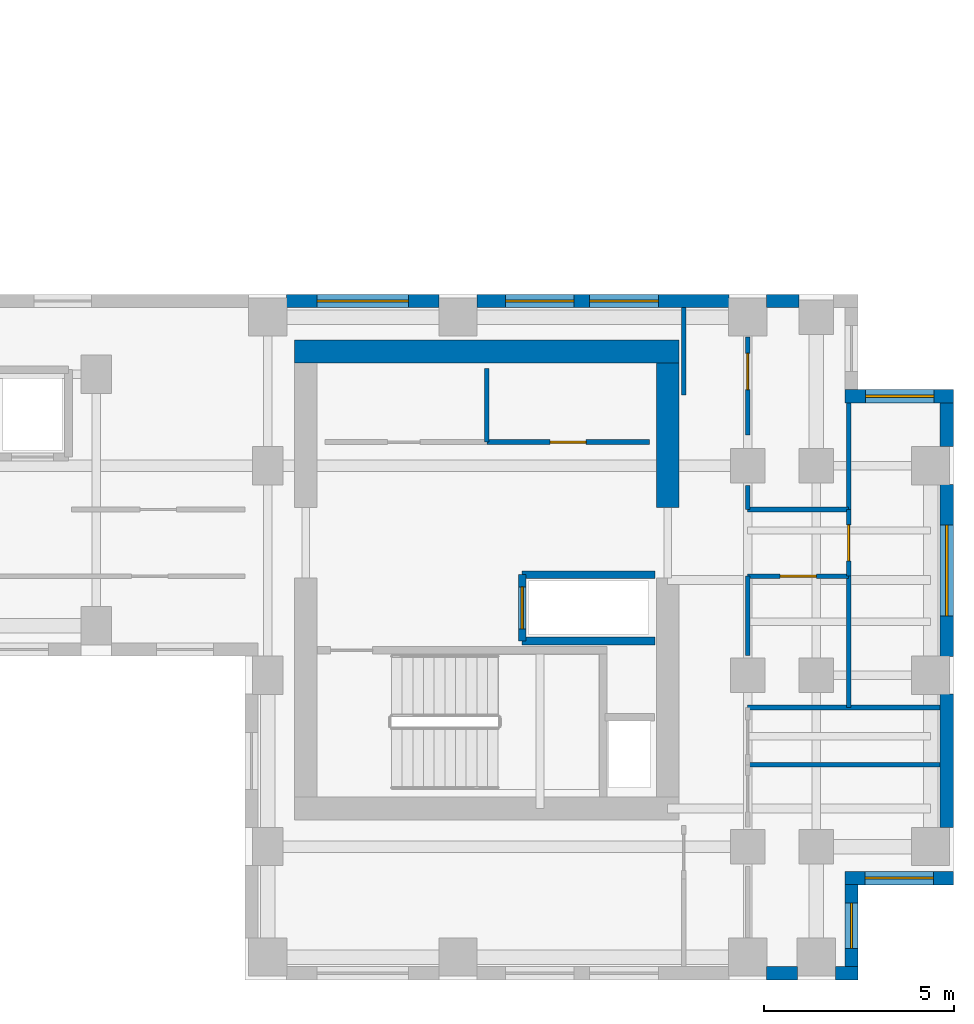
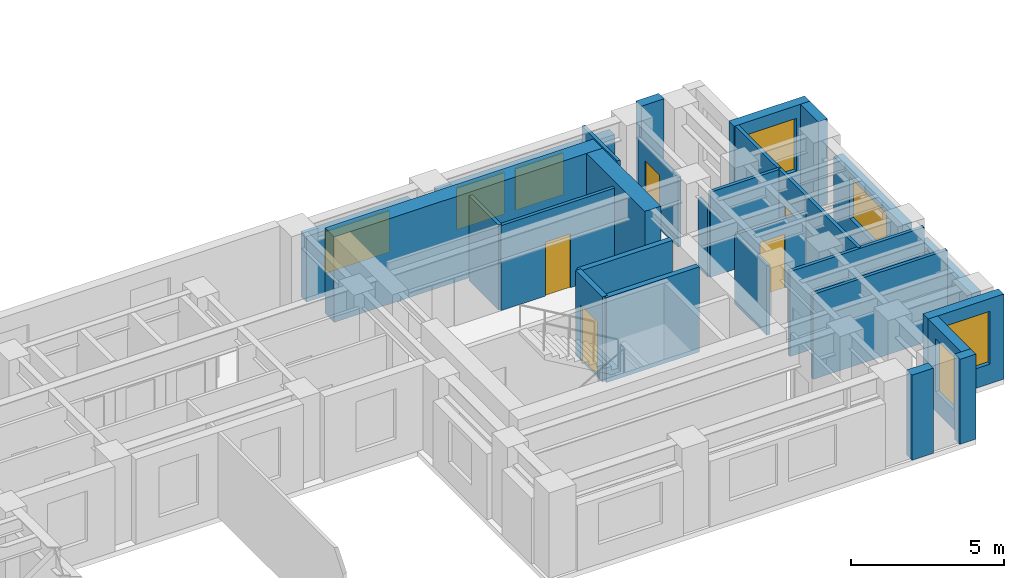
# One storey, part 7 of 11: 29 walls, 7 windows, 5 doors, 12 openings.
"""IFC4 building model written with IfcOpenShell, lengths in metres."""

from ifc_helpers import new_model, si_unit, direction, frame, frame_2d, origin, place, context, subcontext, project, spatial, rectangle, extrude, source, transform, mapped, material, layer, layer_set, type_object, element, fill, save


model = new_model("IFC4")

# Units and contexts
model_context = context("Model", 3, precision=1e-05, world=origin(), true_north=direction((0.0, 1.0)))
body_context = subcontext(model_context, "Body", "Model", "MODEL_VIEW")
ifc_project = project(units=[si_unit("LENGTHUNIT", "METRE"), si_unit("AREAUNIT", "SQUARE_METRE"), si_unit("VOLUMEUNIT", "CUBIC_METRE"), si_unit("PLANEANGLEUNIT", "RADIAN"), si_unit("MASSUNIT", "GRAM", prefix="KILO")], contexts=[model_context])

# Site, building, storey
site_placement = place(None, origin())
site = spatial("IfcSite", under=ifc_project, at=site_placement, CompositionType="ELEMENT")
building_placement = place(site_placement, origin())
building = spatial("IfcBuilding", under=site, at=building_placement, Name="Kharzan Plaza Tower", CompositionType="ELEMENT")
storey_placement = place(building_placement, frame((0.0, 0.0, 171.89990234375)))
storey = spatial("IfcBuildingStorey", under=building, at=storey_placement, Name="L46", CompositionType="ELEMENT", Elevation=171.89990234375)

# Wall, opening, window
ifc_material_1 = material(Name="Concrete C40/50", Category="concrete")
ifc_layer_1 = layer(ifc_material_1, 0.35009765625)
ifc_layer_set_1 = layer_set([ifc_layer_1], Name="Concrete C40/50")
wall_type_1 = type_object("IfcWallType", Name="WL-EXT-MAS-Z3", PredefinedType="SOLIDWALL", material=ifc_layer_set_1)
wall_1_placement = place(storey_placement, frame((50.324951171875, 0.347900390625, 0.0), z_axis=(0.0, 0.0, 1.0), x_axis=(0.0, 1.0, 0.0)))
wall_1 = element("IfcWall", 1, at=wall_1_placement, inside=storey, type_object=wall_type_1, Name="L46 Masonry-Frame Exterior Wall 35", PredefinedType="SOLIDWALL", context=body_context, shape_type="SweptSolid", body=[
    extrude(rectangle(XDim=2.154052734375, YDim=0.35009765625, at=frame_2d((1.0771484375, 0.0))), origin(), (0.0, 0.0, 1.0), 3.385009765625),
])
opening_1_placement = place(wall_1_placement, frame((0.47705078125, 0.0, 0.780029296875)))
opening_1 = element("IfcOpeningElement", 2, at=opening_1_placement, cuts=wall_1, Name="Opening W3", PredefinedType="OPENING", context=body_context, shape_type="SweptSolid", body=[
    extrude(rectangle(XDim=1.199951171875, YDim=2.10009765625, at=frame_2d((0.60009765625, 1.050048828125))), frame((0.0, 0.18505859375, 0.0), z_axis=(0.0, -1.0, 0.0), x_axis=(1.0, 0.0, 0.0)), (0.0, 0.0, 1.0), 0.3701171875),
])
ifc_material_2 = material(Name="Low-E Double Glazing", Category="glass")
window_type_1 = type_object("IfcWindowType", Name="WN-REC-1200x2100", PartitioningType="SINGLE_PANEL", PredefinedType="WINDOW", material=ifc_material_2)
shared_shape_1 = source(origin(), body_context, "Body", "SweptSolid", [
    extrude(rectangle(XDim=1.199951171875, YDim=2.10009765625, at=frame_2d((0.60009765625, 1.050048828125))), frame((0.0, 0.030029296875, 0.0), z_axis=(0.0, -1.0, 0.0), x_axis=(1.0, 0.0, 0.0)), (0.0, 0.0, 1.0), 0.06005859375),
])
window_1_placement = place(opening_1_placement, origin())
window_1 = element("IfcWindow", 3, at=window_1_placement, inside=storey, type_object=window_type_1, Name="L46 Recessed Solar-Control Window 35-1", OverallHeight=2.10009765625, OverallWidth=1.199951171875, PartitioningType="SINGLE_PANEL", PredefinedType="WINDOW", context=body_context, shape_type="MappedRepresentation", body=[
    mapped(shared_shape_1, transform((0.0, 0.0, 0.0), x_axis=(1.0, 0.0, 0.0), y_axis=(0.0, 1.0, 0.0), z_axis=(0.0, 0.0, 1.0))),
])
fill(opening_1, window_1)

wall_2_placement = place(storey_placement, frame((50.14990234375, 2.675048828125, 0.0), z_axis=(0.0, 0.0, 1.0), x_axis=(1.0, 0.0, 0.0)))
wall_2 = element("IfcWall", 4, at=wall_2_placement, inside=storey, type_object=wall_type_1, Name="L46 Masonry-Frame Exterior Wall 36", PredefinedType="SOLIDWALL", context=body_context, shape_type="SweptSolid", body=[
    extrude(rectangle(XDim=2.85009765625, YDim=0.35009765625, at=frame_2d((1.425048828125, 0.0))), origin(), (0.0, 0.0, 1.0), 3.385009765625),
])
opening_2_placement = place(wall_2_placement, frame((0.52490234375, 0.0, 0.780029296875)))
opening_2 = element("IfcOpeningElement", 5, at=opening_2_placement, cuts=wall_2, Name="Opening W1", PredefinedType="OPENING", context=body_context, shape_type="SweptSolid", body=[
    extrude(rectangle(XDim=1.800048828125, YDim=2.10009765625, at=frame_2d((0.89990234375, 1.050048828125))), frame((0.0, 0.18505859375, 0.0), z_axis=(0.0, -1.0, 0.0), x_axis=(1.0, 0.0, 0.0)), (0.0, 0.0, 1.0), 0.3701171875),
])
window_type_2 = type_object("IfcWindowType", Name="WN-REC-1800x2100", PartitioningType="SINGLE_PANEL", PredefinedType="WINDOW", material=ifc_material_2)
shared_shape_2 = source(origin(), body_context, "Body", "SweptSolid", [
    extrude(rectangle(XDim=1.800048828125, YDim=2.10009765625, at=frame_2d((0.89990234375, 1.050048828125))), frame((0.0, 0.030029296875, 0.0), z_axis=(0.0, -1.0, 0.0), x_axis=(1.0, 0.0, 0.0)), (0.0, 0.0, 1.0), 0.06005859375),
])
window_2_placement = place(opening_2_placement, origin())
window_2 = element("IfcWindow", 6, at=window_2_placement, inside=storey, type_object=window_type_2, Name="L46 Recessed Solar-Control Window 36-1", OverallHeight=2.10009765625, OverallWidth=1.800048828125, PartitioningType="SINGLE_PANEL", PredefinedType="WINDOW", context=body_context, shape_type="MappedRepresentation", body=[
    mapped(shared_shape_2, transform((0.0, 0.0, 0.0), x_axis=(1.0, 0.0, 0.0), y_axis=(0.0, 1.0, 0.0), z_axis=(0.0, 0.0, 1.0))),
])
fill(opening_2, window_2)

wall_3_placement = place(storey_placement, frame((52.824951171875, 8.498046875, 0.0), z_axis=(0.0, 0.0, 1.0), x_axis=(0.0, 1.0, 0.0)))
wall_3 = element("IfcWall", 7, at=wall_3_placement, inside=storey, type_object=wall_type_1, Name="L46 Masonry-Frame Exterior Wall 38", PredefinedType="SOLIDWALL", context=body_context, shape_type="SweptSolid", body=[
    extrude(rectangle(XDim=4.50390625, YDim=0.35009765625, at=frame_2d((2.251953125, 0.0))), origin(), (0.0, 0.0, 1.0), 2.612060546875),
])
opening_3_placement = place(wall_3_placement, frame((1.052001953125, 0.0, 0.780029296875)))
opening_3 = element("IfcOpeningElement", 8, at=opening_3_placement, cuts=wall_3, Name="Opening W2", PredefinedType="OPENING", context=body_context, shape_type="SweptSolid", body=[
    extrude(rectangle(XDim=2.39990234375, YDim=1.652099609375, at=frame_2d((1.199951171875, 0.826171875))), frame((0.0, 0.18505859375, 0.0), z_axis=(0.0, -1.0, 0.0), x_axis=(1.0, 0.0, 0.0)), (0.0, 0.0, 1.0), 0.3701171875),
])
window_type_3 = type_object("IfcWindowType", Name="WN-REC-2400x2100", PartitioningType="SINGLE_PANEL", PredefinedType="WINDOW", material=ifc_material_2)
shared_shape_3 = source(origin(), body_context, "Body", "SweptSolid", [
    extrude(rectangle(XDim=2.39990234375, YDim=1.652099609375, at=frame_2d((1.199951171875, 0.826171875))), frame((0.0, 0.030029296875, 0.0), z_axis=(0.0, -1.0, 0.0), x_axis=(1.0, 0.0, 0.0)), (0.0, 0.0, 1.0), 0.06005859375),
])
window_3_placement = place(opening_3_placement, origin())
window_3 = element("IfcWindow", 9, at=window_3_placement, inside=storey, type_object=window_type_3, Name="L46 Wide Recessed Solar-Control Window 38-1", OverallHeight=1.652099609375, OverallWidth=2.39990234375, PartitioningType="SINGLE_PANEL", PredefinedType="WINDOW", context=body_context, shape_type="MappedRepresentation", body=[
    mapped(shared_shape_3, transform((0.0, 0.0, 0.0), x_axis=(1.0, 0.0, 0.0), y_axis=(0.0, 1.0, 0.0), z_axis=(0.0, 0.0, 1.0))),
])
fill(opening_3, window_3)

wall_4_placement = place(storey_placement, frame((53.0, 15.324951171875, 0.0), z_axis=(0.0, 0.0, 1.0), x_axis=(-1.0, 0.0, 0.0)))
wall_4 = element("IfcWall", 10, at=wall_4_placement, inside=storey, type_object=wall_type_1, Name="L46 Masonry-Frame Exterior Wall 40", PredefinedType="SOLIDWALL", context=body_context, shape_type="SweptSolid", body=[
    extrude(rectangle(XDim=2.85009765625, YDim=0.35009765625, at=frame_2d((1.425048828125, 0.0))), origin(), (0.0, 0.0, 1.0), 3.385009765625),
])
opening_4_placement = place(wall_4_placement, frame((0.510009765625, 0.0, 0.780029296875)))
opening_4 = element("IfcOpeningElement", 11, at=opening_4_placement, cuts=wall_4, Name="Opening W1", PredefinedType="OPENING", context=body_context, shape_type="SweptSolid", body=[
    extrude(rectangle(XDim=1.800048828125, YDim=2.10009765625, at=frame_2d((0.89990234375, 1.050048828125))), frame((0.0, 0.18505859375, 0.0), z_axis=(0.0, -1.0, 0.0), x_axis=(1.0, 0.0, 0.0)), (0.0, 0.0, 1.0), 0.3701171875),
])
window_4_placement = place(opening_4_placement, origin())
window_4 = element("IfcWindow", 12, at=window_4_placement, inside=storey, type_object=window_type_2, Name="L46 Recessed Solar-Control Window 40-1", OverallHeight=2.10009765625, OverallWidth=1.800048828125, PartitioningType="SINGLE_PANEL", PredefinedType="WINDOW", context=body_context, shape_type="MappedRepresentation", body=[
    mapped(shared_shape_2, transform((0.0, 0.0, 0.0), x_axis=(1.0, 0.0, 0.0), y_axis=(0.0, 1.0, 0.0), z_axis=(0.0, 0.0, 1.0))),
])
fill(opening_4, window_4)

# Wall, openings, windows
wall_5_placement = place(storey_placement, frame((47.10205078125, 17.824951171875, 0.0), z_axis=(0.0, 0.0, 1.0), x_axis=(-1.0, 0.0, 0.0)))
wall_5 = element("IfcWall", 13, at=wall_5_placement, inside=storey, type_object=wall_type_1, Name="L46 Masonry-Frame Exterior Wall 44", PredefinedType="SOLIDWALL", context=body_context, shape_type="SweptSolid", body=[
    extrude(rectangle(XDim=6.60400390625, YDim=0.35009765625, at=frame_2d((3.302001953125, 0.0))), origin(), (0.0, 0.0, 1.0), 2.612060546875),
])
opening_5_placement = place(wall_5_placement, frame((1.849365234375, 0.0, 0.780029296875)))
opening_5 = element("IfcOpeningElement", 14, at=opening_5_placement, cuts=wall_5, Name="Opening W1", PredefinedType="OPENING", context=body_context, shape_type="SweptSolid", body=[
    extrude(rectangle(XDim=1.800048828125, YDim=1.652099609375, at=frame_2d((0.89990234375, 0.826171875))), frame((0.0, 0.18505859375, 0.0), z_axis=(0.0, -1.0, 0.0), x_axis=(1.0, 0.0, 0.0)), (0.0, 0.0, 1.0), 0.3701171875),
])
opening_6_placement = place(wall_5_placement, frame((4.066650390625, 0.0, 0.780029296875)))
opening_6 = element("IfcOpeningElement", 15, at=opening_6_placement, cuts=wall_5, Name="Opening W1", PredefinedType="OPENING", context=body_context, shape_type="SweptSolid", body=[
    extrude(rectangle(XDim=1.800048828125, YDim=1.652099609375, at=frame_2d((0.89990234375, 0.826171875))), frame((0.0, 0.18505859375, 0.0), z_axis=(0.0, -1.0, 0.0), x_axis=(1.0, 0.0, 0.0)), (0.0, 0.0, 1.0), 0.3701171875),
])
shared_shape_4 = source(origin(), body_context, "Body", "SweptSolid", [
    extrude(rectangle(XDim=1.800048828125, YDim=1.652099609375, at=frame_2d((0.89990234375, 0.826171875))), frame((0.0, 0.030029296875, 0.0), z_axis=(0.0, -1.0, 0.0), x_axis=(1.0, 0.0, 0.0)), (0.0, 0.0, 1.0), 0.06005859375),
])
window_5_placement = place(opening_5_placement, origin())
window_5 = element("IfcWindow", 16, at=window_5_placement, inside=storey, type_object=window_type_2, Name="L46 Recessed Solar-Control Window 44-1", OverallHeight=1.652099609375, OverallWidth=1.800048828125, PartitioningType="SINGLE_PANEL", PredefinedType="WINDOW", context=body_context, shape_type="MappedRepresentation", body=[
    mapped(shared_shape_4, transform((0.0, 0.0, 0.0), x_axis=(1.0, 0.0, 0.0), y_axis=(0.0, 1.0, 0.0), z_axis=(0.0, 0.0, 1.0))),
])
fill(opening_5, window_5)
window_6_placement = place(opening_6_placement, origin())
window_6 = element("IfcWindow", 17, at=window_6_placement, inside=storey, type_object=window_type_2, Name="L46 Recessed Solar-Control Window 44-2", OverallHeight=1.652099609375, OverallWidth=1.800048828125, PartitioningType="SINGLE_PANEL", PredefinedType="WINDOW", context=body_context, shape_type="MappedRepresentation", body=[
    mapped(shared_shape_4, transform((0.0, 0.0, 0.0), x_axis=(1.0, 0.0, 0.0), y_axis=(0.0, 1.0, 0.0), z_axis=(0.0, 0.0, 1.0))),
])
fill(opening_6, window_6)

# Wall, opening, window
wall_6_placement = place(storey_placement, frame((39.501953125, 17.824951171875, 0.0), z_axis=(0.0, 0.0, 1.0), x_axis=(-1.0, 0.0, 0.0)))
wall_6 = element("IfcWall", 18, at=wall_6_placement, inside=storey, type_object=wall_type_1, Name="L46 Masonry-Frame Exterior Wall 45", PredefinedType="SOLIDWALL", context=body_context, shape_type="SweptSolid", body=[
    extrude(rectangle(XDim=4.00390625, YDim=0.35009765625, at=frame_2d((2.001953125, 0.0))), origin(), (0.0, 0.0, 1.0), 2.612060546875),
])
opening_7_placement = place(wall_6_placement, frame((0.802001953125, 0.0, 0.780029296875)))
opening_7 = element("IfcOpeningElement", 19, at=opening_7_placement, cuts=wall_6, Name="Opening W2", PredefinedType="OPENING", context=body_context, shape_type="SweptSolid", body=[
    extrude(rectangle(XDim=2.39990234375, YDim=1.652099609375, at=frame_2d((1.199951171875, 0.826171875))), frame((0.0, 0.18505859375, 0.0), z_axis=(0.0, -1.0, 0.0), x_axis=(1.0, 0.0, 0.0)), (0.0, 0.0, 1.0), 0.3701171875),
])
window_7_placement = place(opening_7_placement, origin())
window_7 = element("IfcWindow", 20, at=window_7_placement, inside=storey, type_object=window_type_3, Name="L46 Wide Recessed Solar-Control Window 45-1", OverallHeight=1.652099609375, OverallWidth=2.39990234375, PartitioningType="SINGLE_PANEL", PredefinedType="WINDOW", context=body_context, shape_type="MappedRepresentation", body=[
    mapped(shared_shape_3, transform((0.0, 0.0, 0.0), x_axis=(1.0, 0.0, 0.0), y_axis=(0.0, 1.0, 0.0), z_axis=(0.0, 0.0, 1.0))),
])
fill(opening_7, window_7)

# Wall, opening, door
ifc_material_3 = material(Name="Fire-Rated Gypsum Board Partition", Category="gypsum")
ifc_layer_2 = layer(ifc_material_3, 0.125)
ifc_layer_set_2 = layer_set([ifc_layer_2], Name="Fire-Rated Gypsum Board Partition")
wall_type_2 = type_object("IfcWallType", Name="WL-INT-PART-125", PredefinedType="PARTITIONING", material=ifc_layer_set_2)
wall_7_placement = place(storey_placement, frame((40.75, 14.1201171875, 0.0), z_axis=(0.0, 0.0, 1.0), x_axis=(1.0, 0.0, 0.0)))
wall_7 = element("IfcWall", 21, at=wall_7_placement, inside=storey, type_object=wall_type_2, Name="L46 Interior Partition CB-RBLS2", PredefinedType="PARTITIONING", context=body_context, shape_type="SweptSolid", body=[
    extrude(rectangle(XDim=4.27001953125, YDim=0.125, at=frame_2d((2.135009765625, 0.0))), origin(), (0.0, 0.0, 1.0), 3.385009765625),
])
opening_8_placement = place(wall_7_placement, frame((1.659912109375, 0.0, 0.0)))
opening_8 = element("IfcOpeningElement", 22, at=opening_8_placement, cuts=wall_7, Name="Opening OD1", PredefinedType="OPENING", context=body_context, shape_type="SweptSolid", body=[
    extrude(rectangle(XDim=0.949951171875, YDim=2.14990234375, at=frame_2d((0.47509765625, 1.074951171875))), frame((0.0, 0.072509765625, 0.0), z_axis=(0.0, -1.0, 0.0), x_axis=(1.0, 0.0, 0.0)), (0.0, 0.0, 1.0), 0.14501953125),
])
ifc_material_4 = material(Name="Acoustic Solid-Core Stained Oak", Category="timber")
door_type_1 = type_object("IfcDoorType", Name="DR-OFF-SINGLE", OperationType="NOTDEFINED", PredefinedType="DOOR", material=ifc_material_4)
shared_shape_5 = source(origin(), body_context, "Body", "SweptSolid", [
    extrude(rectangle(XDim=0.949951171875, YDim=2.14990234375, at=frame_2d((0.47509765625, 1.074951171875))), frame((0.0, 0.02490234375, 0.0), z_axis=(0.0, -1.0, 0.0), x_axis=(1.0, 0.0, 0.0)), (0.0, 0.0, 1.0), 0.050048828125),
])
door_1_placement = place(opening_8_placement, origin())
door_1 = element("IfcDoor", 23, at=door_1_placement, inside=storey, type_object=door_type_1, Name="L46 Print Room Door", OperationType="SINGLE_SWING_RIGHT", OverallHeight=2.14990234375, OverallWidth=0.949951171875, PredefinedType="DOOR", context=body_context, shape_type="MappedRepresentation", body=[
    mapped(shared_shape_5, transform((0.0, 0.0, 0.0), x_axis=(1.0, 0.0, 0.0), y_axis=(0.0, 1.0, 0.0), z_axis=(0.0, 0.0, 1.0))),
])
fill(opening_8, door_1)

wall_8_placement = place(storey_placement, frame((50.25, 10.60009765625, 0.0), z_axis=(0.0, 0.0, 1.0), x_axis=(0.0, 1.0, 0.0)))
wall_8 = element("IfcWall", 24, at=wall_8_placement, inside=storey, type_object=wall_type_2, Name="L46 Interior Partition SH-B2E2", PredefinedType="PARTITIONING", context=body_context, shape_type="SweptSolid", body=[
    extrude(rectangle(XDim=1.75, YDim=0.125, at=frame_2d((0.875, 0.0))), origin(), (0.0, 0.0, 1.0), 3.385009765625),
])
opening_9_placement = place(wall_8_placement, frame((0.39990234375, 0.0, 0.0)))
opening_9 = element("IfcOpeningElement", 25, at=opening_9_placement, cuts=wall_8, Name="Opening OD1", PredefinedType="OPENING", context=body_context, shape_type="SweptSolid", body=[
    extrude(rectangle(XDim=0.949951171875, YDim=2.14990234375, at=frame_2d((0.47509765625, 1.074951171875))), frame((0.0, 0.072509765625, 0.0), z_axis=(0.0, -1.0, 0.0), x_axis=(1.0, 0.0, 0.0)), (0.0, 0.0, 1.0), 0.14501953125),
])
door_2_placement = place(opening_9_placement, origin())
door_2 = element("IfcDoor", 26, at=door_2_placement, inside=storey, type_object=door_type_1, Name="L46 East Boardroom Door", OperationType="SINGLE_SWING_RIGHT", OverallHeight=2.14990234375, OverallWidth=0.949951171875, PredefinedType="DOOR", context=body_context, shape_type="MappedRepresentation", body=[
    mapped(shared_shape_5, transform((0.0, 0.0, 0.0), x_axis=(1.0, 0.0, 0.0), y_axis=(0.0, 1.0, 0.0), z_axis=(0.0, 0.0, 1.0))),
])
fill(opening_9, door_2)

wall_9_placement = place(storey_placement, frame((47.60009765625, 10.60009765625, 0.0), z_axis=(0.0, 0.0, 1.0), x_axis=(1.0, 0.0, 0.0)))
wall_9 = element("IfcWall", 27, at=wall_9_placement, inside=storey, type_object=wall_type_2, Name="L46 Interior Partition SH-B2S1", PredefinedType="PARTITIONING", context=body_context, shape_type="SweptSolid", body=[
    extrude(rectangle(XDim=2.64990234375, YDim=0.125, at=frame_2d((1.324951171875, 0.0))), origin(), (0.0, 0.0, 1.0), 2.773193359375),
])
opening_10_placement = place(wall_9_placement, frame((0.85009765625, 0.0, 0.0)))
opening_10 = element("IfcOpeningElement", 28, at=opening_10_placement, cuts=wall_9, Name="Opening OD1", PredefinedType="OPENING", context=body_context, shape_type="SweptSolid", body=[
    extrude(rectangle(XDim=0.949951171875, YDim=2.14990234375, at=frame_2d((0.47509765625, 1.074951171875))), frame((0.0, 0.072509765625, 0.0), z_axis=(0.0, -1.0, 0.0), x_axis=(1.0, 0.0, 0.0)), (0.0, 0.0, 1.0), 0.14501953125),
])
door_3_placement = place(opening_10_placement, origin())
door_3 = element("IfcDoor", 29, at=door_3_placement, inside=storey, type_object=door_type_1, Name="L46 Spur South Office Door", OperationType="SINGLE_SWING_LEFT", OverallHeight=2.14990234375, OverallWidth=0.949951171875, PredefinedType="DOOR", context=body_context, shape_type="MappedRepresentation", body=[
    mapped(shared_shape_5, transform((0.0, 0.0, 0.0), x_axis=(1.0, 0.0, 0.0), y_axis=(0.0, 1.0, 0.0), z_axis=(0.0, 0.0, 1.0))),
])
fill(opening_10, door_3)

wall_10_placement = place(storey_placement, frame((47.60009765625, 14.300048828125, 0.0), z_axis=(0.0, 0.0, 1.0), x_axis=(0.0, 1.0, 0.0)))
wall_10 = element("IfcWall", 30, at=wall_10_placement, inside=storey, type_object=wall_type_2, Name="L46 Interior Partition SH-B2W3D", PredefinedType="PARTITIONING", context=body_context, shape_type="SweptSolid", body=[
    extrude(rectangle(XDim=2.579833984375, YDim=0.125, at=frame_2d((1.2900390625, 0.0))), origin(), (0.0, 0.0, 1.0), 2.773193359375),
])
opening_11_placement = place(wall_10_placement, frame((1.199951171875, 0.0, 0.0)))
opening_11 = element("IfcOpeningElement", 31, at=opening_11_placement, cuts=wall_10, Name="Opening OD1", PredefinedType="OPENING", context=body_context, shape_type="SweptSolid", body=[
    extrude(rectangle(XDim=0.949951171875, YDim=2.14990234375, at=frame_2d((0.47509765625, 1.074951171875))), frame((0.0, 0.072509765625, 0.0), z_axis=(0.0, -1.0, 0.0), x_axis=(1.0, 0.0, 0.0)), (0.0, 0.0, 1.0), 0.14501953125),
])
door_4_placement = place(opening_11_placement, origin())
door_4 = element("IfcDoor", 32, at=door_4_placement, inside=storey, type_object=door_type_1, Name="L46 Spur North Office Door", OperationType="SINGLE_SWING_LEFT", OverallHeight=2.14990234375, OverallWidth=0.949951171875, PredefinedType="DOOR", context=body_context, shape_type="MappedRepresentation", body=[
    mapped(shared_shape_5, transform((0.0, 0.0, 0.0), x_axis=(1.0, 0.0, 0.0), y_axis=(0.0, 1.0, 0.0), z_axis=(0.0, 0.0, 1.0))),
])
fill(opening_11, door_4)

ifc_layer_3 = layer(ifc_material_1, 0.199951171875)
ifc_layer_set_3 = layer_set([ifc_layer_3], Name="Concrete C40/50")
wall_type_3 = type_object("IfcWallType", Name="WL-INT-SHAFT-200", PredefinedType="PARTITIONING", material=ifc_layer_set_3)
wall_11_placement = place(storey_placement, frame((41.679931640625, 8.89990234375, 0.0), z_axis=(0.0, 0.0, 1.0), x_axis=(0.0, 1.0, 0.0)))
wall_11 = element("IfcWall", 33, at=wall_11_placement, inside=storey, type_object=wall_type_3, Name="L46 Interior Partition SHF-SVL-2-W", PredefinedType="PARTITIONING", context=body_context, shape_type="SweptSolid", body=[
    extrude(rectangle(XDim=1.739990234375, YDim=0.199951171875, at=frame_2d((0.8701171875, 0.0))), origin(), (0.0, 0.0, 1.0), 3.385009765625),
])
opening_12_placement = place(wall_11_placement, frame((0.320068359375, 0.0, 0.0)))
opening_12 = element("IfcOpeningElement", 34, at=opening_12_placement, cuts=wall_11, Name="Opening LD", PredefinedType="OPENING", context=body_context, shape_type="SweptSolid", body=[
    extrude(rectangle(XDim=1.10009765625, YDim=2.199951171875, at=frame_2d((0.550048828125, 1.10009765625))), frame((0.0, 0.10986328125, 0.0), z_axis=(0.0, -1.0, 0.0), x_axis=(1.0, 0.0, 0.0)), (0.0, 0.0, 1.0), 0.219970703125),
])
ifc_material_5 = material(Name="Brushed Stainless Steel", Category="steel")
door_type_2 = type_object("IfcDoorType", Name="DR-LIFT-SLIDE", OperationType="SLIDING_TO_LEFT", PredefinedType="DOOR", material=ifc_material_5)
shared_shape_6 = source(origin(), body_context, "Body", "SweptSolid", [
    extrude(rectangle(XDim=1.10009765625, YDim=2.199951171875, at=frame_2d((0.550048828125, 1.10009765625))), frame((0.0, 0.02490234375, 0.0), z_axis=(0.0, -1.0, 0.0), x_axis=(1.0, 0.0, 0.0)), (0.0, 0.0, 1.0), 0.050048828125),
])
door_5_placement = place(opening_12_placement, origin())
door_5 = element("IfcDoor", 35, at=door_5_placement, inside=storey, type_object=door_type_2, Name="L46 Service Lift SVL-2 Sliding Landing Door", OperationType="SLIDING_TO_LEFT", OverallHeight=2.199951171875, OverallWidth=1.10009765625, PredefinedType="DOOR", context=body_context, shape_type="MappedRepresentation", body=[
    mapped(shared_shape_6, transform((0.0, 0.0, 0.0), x_axis=(1.0, 0.0, 0.0), y_axis=(0.0, 1.0, 0.0), z_axis=(0.0, 0.0, 1.0))),
])
fill(opening_12, door_5)

# Walls
shared_shape_7 = source(origin(), body_context, "Body", "SweptSolid", [
    extrude(rectangle(XDim=0.80419921875, YDim=0.35009765625, at=frame_2d((0.402099609375, 0.0))), origin(), (0.0, 0.0, 1.0), 3.385009765625),
])
wall_12_placement = place(storey_placement, frame((48.097900390625, 0.175048828125, 0.0), z_axis=(0.0, 0.0, 1.0), x_axis=(1.0, 0.0, 0.0)))
element("IfcWall", 36, at=wall_12_placement, inside=storey, type_object=wall_type_1, Name="L46 Masonry-Frame Exterior Wall 33", PredefinedType="SOLIDWALL", context=body_context, shape_type="MappedRepresentation", body=[
    mapped(shared_shape_7, transform((0.0, 0.0, 0.0), x_axis=(1.0, 0.0, 0.0), y_axis=(0.0, 1.0, 0.0), z_axis=(0.0, 0.0, 1.0))),
])
shared_shape_8 = source(origin(), body_context, "Body", "SweptSolid", [
    extrude(rectangle(XDim=0.60205078125, YDim=0.35009765625, at=frame_2d((0.301025390625, 0.0))), origin(), (0.0, 0.0, 1.0), 3.385009765625),
])
wall_13_placement = place(storey_placement, frame((49.89794921875, 0.175048828125, 0.0), z_axis=(0.0, 0.0, 1.0), x_axis=(1.0, 0.0, 0.0)))
element("IfcWall", 37, at=wall_13_placement, inside=storey, type_object=wall_type_1, Name="L46 Masonry-Frame Exterior Wall 34", PredefinedType="SOLIDWALL", context=body_context, shape_type="MappedRepresentation", body=[
    mapped(shared_shape_8, transform((0.0, 0.0, 0.0), x_axis=(1.0, 0.0, 0.0), y_axis=(0.0, 1.0, 0.0), z_axis=(0.0, 0.0, 1.0))),
])
shared_shape_9 = source(origin(), body_context, "Body", "SweptSolid", [
    extrude(rectangle(XDim=1.154052734375, YDim=0.35009765625, at=frame_2d((0.5771484375, 0.0))), origin(), (0.0, 0.0, 1.0), 3.385009765625),
])
wall_14_placement = place(storey_placement, frame((52.824951171875, 13.998046875, 0.0), z_axis=(0.0, 0.0, 1.0), x_axis=(0.0, 1.0, 0.0)))
element("IfcWall", 38, at=wall_14_placement, inside=storey, type_object=wall_type_1, Name="L46 Masonry-Frame Exterior Wall 39", PredefinedType="SOLIDWALL", context=body_context, shape_type="MappedRepresentation", body=[
    mapped(shared_shape_9, transform((0.0, 0.0, 0.0), x_axis=(1.0, 0.0, 0.0), y_axis=(0.0, 1.0, 0.0), z_axis=(0.0, 0.0, 1.0))),
])
shared_shape_10 = source(origin(), body_context, "Body", "SweptSolid", [
    extrude(rectangle(XDim=0.85400390625, YDim=0.35009765625, at=frame_2d((0.427001953125, 0.0))), origin(), (0.0, 0.0, 1.0), 3.385009765625),
])
wall_15_placement = place(storey_placement, frame((48.951904296875, 17.824951171875, 0.0), z_axis=(0.0, 0.0, 1.0), x_axis=(-1.0, 0.0, 0.0)))
element("IfcWall", 39, at=wall_15_placement, inside=storey, type_object=wall_type_1, Name="L46 Masonry-Frame Exterior Wall 43", PredefinedType="SOLIDWALL", context=body_context, shape_type="MappedRepresentation", body=[
    mapped(shared_shape_10, transform((0.0, 0.0, 0.0), x_axis=(1.0, 0.0, 0.0), y_axis=(0.0, 1.0, 0.0), z_axis=(0.0, 0.0, 1.0))),
])
shared_shape_11 = source(origin(), body_context, "Body", "SweptSolid", [
    extrude(rectangle(XDim=1.929931640625, YDim=0.125, at=frame_2d((0.96484375, 0.0))), origin(), (0.0, 0.0, 1.0), 3.385009765625),
])
wall_16_placement = place(storey_placement, frame((40.75, 14.1201171875, 0.0), z_axis=(0.0, 0.0, 1.0), x_axis=(0.0, 1.0, 0.0)))
element("IfcWall", 40, at=wall_16_placement, inside=storey, type_object=wall_type_2, Name="L46 Interior Partition CB-RBLM1", PredefinedType="PARTITIONING", context=body_context, shape_type="MappedRepresentation", body=[
    mapped(shared_shape_11, transform((0.0, 0.0, 0.0), x_axis=(1.0, 0.0, 0.0), y_axis=(0.0, 1.0, 0.0), z_axis=(0.0, 0.0, 1.0))),
])
shared_shape_12 = source(origin(), body_context, "Body", "SweptSolid", [
    extrude(rectangle(XDim=5.0478515625, YDim=0.125, at=frame_2d((2.52392578125, 0.0))), origin(), (0.0, 0.0, 1.0), 3.385009765625),
])
for number, where, z_axis, x_axis, name in (
    (41, (47.60009765625, 5.64990234375, 0.0), (0.0, 0.0, 1.0), (1.0, 0.0, 0.0), "L46 Interior Partition SH-B2H1"),
    (42, (47.60009765625, 7.14990234375, 0.0), (0.0, 0.0, 1.0), (1.0, 0.0, 0.0), "L46 Interior Partition SH-B2H2"),
):
    element("IfcWall", number, at=place(storey_placement, frame(where, z_axis=z_axis, x_axis=x_axis)), inside=storey, type_object=wall_type_2, Name=name, PredefinedType="PARTITIONING", context=body_context, shape_type="MappedRepresentation", body=[
        mapped(shared_shape_12, transform((0.0, 0.0, 0.0), x_axis=(1.0, 0.0, 0.0), y_axis=(0.0, 1.0, 0.0), z_axis=(0.0, 0.0, 1.0))),
    ])
shared_shape_13 = source(origin(), body_context, "Body", "SweptSolid", [
    extrude(rectangle(XDim=2.2978515625, YDim=0.125, at=frame_2d((1.14892578125, 0.0))), origin(), (0.0, 0.0, 1.0), 3.385009765625),
])
wall_17_placement = place(storey_placement, frame((45.919921875, 15.35009765625, 0.0), z_axis=(0.0, 0.0, 1.0), x_axis=(0.0, 1.0, 0.0)))
element("IfcWall", 43, at=wall_17_placement, inside=storey, type_object=wall_type_2, Name="L46 Interior Partition SH-RBNE0", PredefinedType="PARTITIONING", context=body_context, shape_type="MappedRepresentation", body=[
    mapped(shared_shape_13, transform((0.0, 0.0, 0.0), x_axis=(1.0, 0.0, 0.0), y_axis=(0.0, 1.0, 0.0), z_axis=(0.0, 0.0, 1.0))),
])
shared_shape_14 = source(origin(), body_context, "Body", "SweptSolid", [
    extrude(rectangle(XDim=3.489990234375, YDim=0.199951171875, at=frame_2d((1.7451171875, 0.0))), origin(), (0.0, 0.0, 1.0), 3.385009765625),
])
for number, where, z_axis, x_axis, name in (
    (44, (41.679931640625, 10.639892578125, 0.0), (0.0, 0.0, 1.0), (1.0, 0.0, 0.0), "L46 Interior Partition SHF-SVL-2-N"),
    (45, (41.679931640625, 8.89990234375, 0.0), (0.0, 0.0, 1.0), (1.0, 0.0, 0.0), "L46 Interior Partition SHF-SVL-2-S"),
):
    element("IfcWall", number, at=place(storey_placement, frame(where, z_axis=z_axis, x_axis=x_axis)), inside=storey, type_object=wall_type_3, Name=name, PredefinedType="PARTITIONING", context=body_context, shape_type="MappedRepresentation", body=[
        mapped(shared_shape_14, transform((0.0, 0.0, 0.0), x_axis=(1.0, 0.0, 0.0), y_axis=(0.0, 1.0, 0.0), z_axis=(0.0, 0.0, 1.0))),
    ])
ifc_material_6 = material(Name="Concrete C50/60", Category="concrete")
ifc_layer_4 = layer(ifc_material_6, 0.60009765625)
ifc_layer_set_4 = layer_set([ifc_layer_4], Name="Concrete C50/60")
wall_type_4 = type_object("IfcWallType", Name="WL-CORE-600", PredefinedType="SHEAR", material=ifc_layer_set_4)
shared_shape_15 = source(origin(), body_context, "Body", "SweptSolid", [
    extrude(rectangle(XDim=3.800048828125, YDim=0.60009765625, at=frame_2d((1.89990234375, 0.0))), origin(), (0.0, 0.0, 1.0), 3.400146484375),
])
wall_18_placement = place(storey_placement, frame((45.5, 12.39990234375, 0.0), z_axis=(0.0, 0.0, 1.0), x_axis=(0.0, 1.0, 0.0)))
element("IfcWall", 46, at=wall_18_placement, inside=storey, type_object=wall_type_4, Name="L46 CORE-B east shear pier 2", PredefinedType="SHEAR", context=body_context, shape_type="MappedRepresentation", body=[
    mapped(shared_shape_15, transform((0.0, 0.0, 0.0), x_axis=(1.0, 0.0, 0.0), y_axis=(0.0, 1.0, 0.0), z_axis=(0.0, 0.0, 1.0))),
])
shared_shape_16 = source(origin(), body_context, "Body", "SweptSolid", [
    extrude(rectangle(XDim=10.10009765625, YDim=0.60009765625, at=frame_2d((5.050048828125, 0.0))), origin(), (0.0, 0.0, 1.0), 3.400146484375),
])
wall_19_placement = place(storey_placement, frame((35.699951171875, 16.5, 0.0), z_axis=(0.0, 0.0, 1.0), x_axis=(1.0, 0.0, 0.0)))
element("IfcWall", 47, at=wall_19_placement, inside=storey, type_object=wall_type_4, Name="L46 CORE-B north RC shear wall", PredefinedType="SHEAR", context=body_context, shape_type="MappedRepresentation", body=[
    mapped(shared_shape_16, transform((0.0, 0.0, 0.0), x_axis=(1.0, 0.0, 0.0), y_axis=(0.0, 1.0, 0.0), z_axis=(0.0, 0.0, 1.0))),
])
shared_shape_17 = source(origin(), body_context, "Body", "SweptSolid", [
    extrude(rectangle(XDim=3.50390625, YDim=0.35009765625, at=frame_2d((1.751953125, 0.0))), origin(), (0.0, 0.0, 1.0), 2.612060546875),
])
wall_20_placement = place(storey_placement, frame((52.824951171875, 3.998046875, 0.0), z_axis=(0.0, 0.0, 1.0), x_axis=(0.0, 1.0, 0.0)))
element("IfcWall", 48, at=wall_20_placement, inside=storey, type_object=wall_type_1, Name="L46 Masonry-Frame Exterior Wall 37", PredefinedType="SOLIDWALL", context=body_context, shape_type="MappedRepresentation", body=[
    mapped(shared_shape_17, transform((0.0, 0.0, 0.0), x_axis=(1.0, 0.0, 0.0), y_axis=(0.0, 1.0, 0.0), z_axis=(0.0, 0.0, 1.0))),
])
shared_shape_18 = source(origin(), body_context, "Body", "SweptSolid", [
    extrude(rectangle(XDim=2.64990234375, YDim=0.125, at=frame_2d((1.324951171875, 0.0))), origin(), (0.0, 0.0, 1.0), 3.385009765625),
])
wall_21_placement = place(storey_placement, frame((47.60009765625, 12.35009765625, 0.0), z_axis=(0.0, 0.0, 1.0), x_axis=(1.0, 0.0, 0.0)))
element("IfcWall", 49, at=wall_21_placement, inside=storey, type_object=wall_type_2, Name="L46 Interior Partition SH-B2N3", PredefinedType="PARTITIONING", context=body_context, shape_type="MappedRepresentation", body=[
    mapped(shared_shape_18, transform((0.0, 0.0, 0.0), x_axis=(1.0, 0.0, 0.0), y_axis=(0.0, 1.0, 0.0), z_axis=(0.0, 0.0, 1.0))),
])
shared_shape_19 = source(origin(), body_context, "Body", "SweptSolid", [
    extrude(rectangle(XDim=3.4501953125, YDim=0.125, at=frame_2d((1.72509765625, 0.0))), origin(), (0.0, 0.0, 1.0), 3.385009765625),
])
wall_22_placement = place(storey_placement, frame((50.25, 7.14990234375, 0.0), z_axis=(0.0, 0.0, 1.0), x_axis=(0.0, 1.0, 0.0)))
element("IfcWall", 50, at=wall_22_placement, inside=storey, type_object=wall_type_2, Name="L46 Interior Partition SH-B2V1", PredefinedType="PARTITIONING", context=body_context, shape_type="MappedRepresentation", body=[
    mapped(shared_shape_19, transform((0.0, 0.0, 0.0), x_axis=(1.0, 0.0, 0.0), y_axis=(0.0, 1.0, 0.0), z_axis=(0.0, 0.0, 1.0))),
])
shared_shape_20 = source(origin(), body_context, "Body", "SweptSolid", [
    extrude(rectangle(XDim=2.7978515625, YDim=0.125, at=frame_2d((1.39892578125, 0.0))), origin(), (0.0, 0.0, 1.0), 3.385009765625),
])
wall_23_placement = place(storey_placement, frame((50.25, 12.35009765625, 0.0), z_axis=(0.0, 0.0, 1.0), x_axis=(0.0, 1.0, 0.0)))
element("IfcWall", 51, at=wall_23_placement, inside=storey, type_object=wall_type_2, Name="L46 Interior Partition SH-B2V2", PredefinedType="PARTITIONING", context=body_context, shape_type="MappedRepresentation", body=[
    mapped(shared_shape_20, transform((0.0, 0.0, 0.0), x_axis=(1.0, 0.0, 0.0), y_axis=(0.0, 1.0, 0.0), z_axis=(0.0, 0.0, 1.0))),
])
shared_shape_21 = source(origin(), body_context, "Body", "SweptSolid", [
    extrude(rectangle(XDim=0.6298828125, YDim=0.125, at=frame_2d((0.31494140625, 0.0))), origin(), (0.0, 0.0, 1.0), 2.773193359375),
])
wall_24_placement = place(storey_placement, frame((47.60009765625, 12.35009765625, 0.0), z_axis=(0.0, 0.0, 1.0), x_axis=(0.0, 1.0, 0.0)))
element("IfcWall", 52, at=wall_24_placement, inside=storey, type_object=wall_type_2, Name="L46 Interior Partition SH-B2W3S", PredefinedType="PARTITIONING", context=body_context, shape_type="MappedRepresentation", body=[
    mapped(shared_shape_21, transform((0.0, 0.0, 0.0), x_axis=(1.0, 0.0, 0.0), y_axis=(0.0, 1.0, 0.0), z_axis=(0.0, 0.0, 1.0))),
])
shared_shape_22 = source(origin(), body_context, "Body", "SweptSolid", [
    extrude(rectangle(XDim=2.080078125, YDim=0.125, at=frame_2d((1.0400390625, 0.0))), origin(), (0.0, 0.0, 1.0), 2.773193359375),
])
wall_25_placement = place(storey_placement, frame((47.60009765625, 8.52001953125, 0.0), z_axis=(0.0, 0.0, 1.0), x_axis=(0.0, 1.0, 0.0)))
element("IfcWall", 53, at=wall_25_placement, inside=storey, type_object=wall_type_2, Name="L46 Interior Partition SH-B2W1C", PredefinedType="PARTITIONING", context=body_context, shape_type="MappedRepresentation", body=[
    mapped(shared_shape_22, transform((0.0, 0.0, 0.0), x_axis=(1.0, 0.0, 0.0), y_axis=(0.0, 1.0, 0.0), z_axis=(0.0, 0.0, 1.0))),
])

save(model, "model.ifc")
